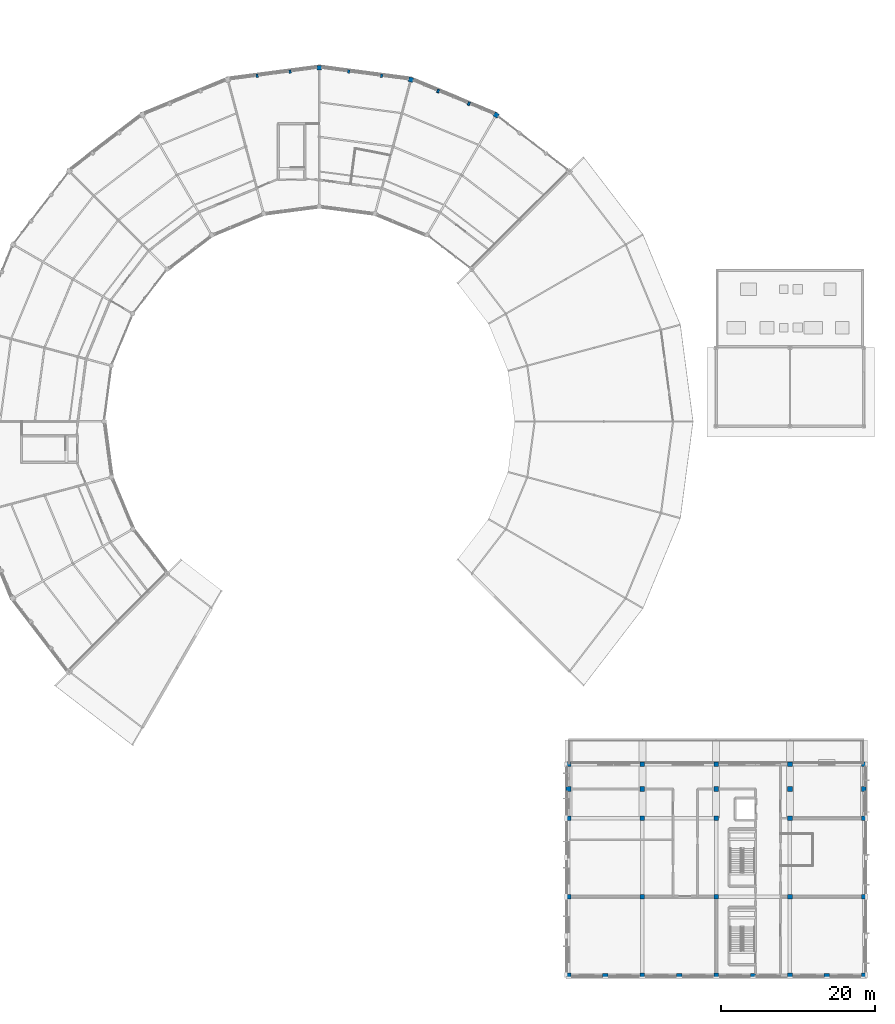
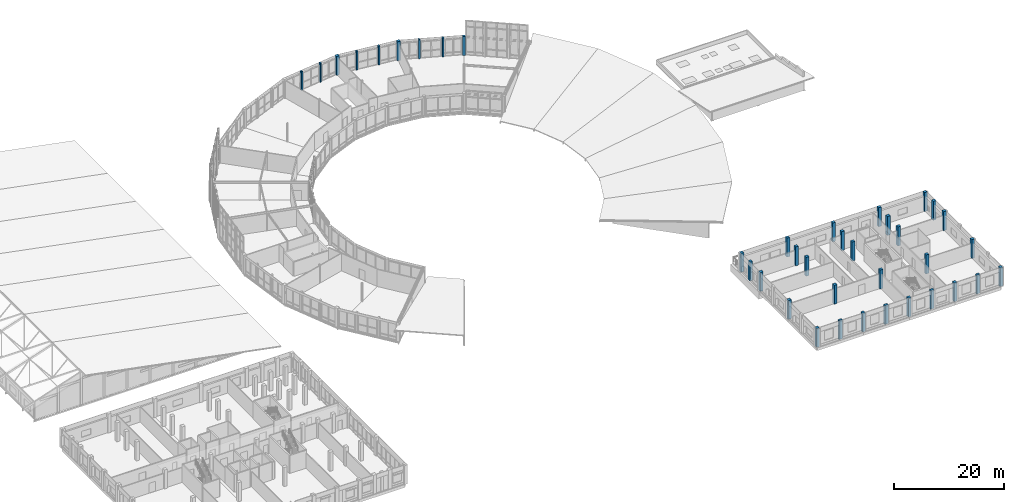
# One storey, part 12 of 200: 38 columns.
"""IFC4 building model written with IfcOpenShell, lengths in metres."""

from ifc_helpers import new_model, si_unit, direction, frame, origin, origin_2d, place, context, subcontext, project, spatial, rectangle, extrude, material, material_profile, profile_set, type_object, element, save


model = new_model("IFC4")

# Units and contexts
model_context = context("Model", 3, precision=1e-05, world=origin(), true_north=direction((0.0, 1.0)))
body_context = subcontext(model_context, "Body", "Model", "MODEL_VIEW")
ifc_project = project(units=[si_unit("LENGTHUNIT", "METRE"), si_unit("AREAUNIT", "SQUARE_METRE"), si_unit("VOLUMEUNIT", "CUBIC_METRE"), si_unit("PLANEANGLEUNIT", "RADIAN"), si_unit("MASSUNIT", "GRAM", prefix="KILO")], contexts=[model_context])

# Site, building, storey
site_placement = place(None, origin())
site = spatial("IfcSite", under=ifc_project, at=site_placement, CompositionType="ELEMENT")
building_placement = place(site_placement, origin())
building = spatial("IfcBuilding", under=site, at=building_placement, Name="Vondelvale Polytechnic", CompositionType="ELEMENT")
storey_placement = place(building_placement, frame((0.0, 0.0, 13.800048828125)))
storey = spatial("IfcBuildingStorey", under=building, at=storey_placement, Name="L03", CompositionType="ELEMENT", Elevation=13.800048828125)

# Columns
ifc_material_1 = material(Name="Glulam GL18 structural Tasmanian oak (fb = 42 MPa)", Category="wood")
ifc_material_profile_1 = material_profile(ifc_material_1, rectangle(XDim=0.300048828125, YDim=0.449951171875, at=origin_2d()), Name="GL-POST-300x450")
ifc_profile_set_1 = profile_set([ifc_material_profile_1], Name="Glulam GL18 structural Tasmanian oak (fb = 42 MPa)")
column_type_1 = type_object("IfcColumnType", Name="COL-GLULAM-300x450", PredefinedType="PILASTER", material=ifc_profile_set_1)
for number, where, z_axis, x_axis, name in (
    (1, (121.44970703125, 113.3076171875, 0.0), (0.0, 0.0, 1.0), (-0.923879532511, 0.382683432365, 0.0), "L03 ring outer glulam timber post C04-P1"),
    (2, (117.455810546875, 114.962158203125, 0.0), (0.0, 0.0, 1.0), (-0.923879532511, 0.382683432365, 0.0), "L03 ring outer glulam timber post C04-P2"),
    (3, (110.095947265625, 116.93408203125, 0.0), (0.0, 0.0, 1.0), (-0.991444861374, 0.13052619222, 0.0), "L03 ring outer glulam timber post C05-P1"),
    (4, (105.809814453125, 117.498291015625, 0.0), (0.0, 0.0, 1.0), (-0.991444861374, 0.13052619222, 0.0), "L03 ring outer glulam timber post C05-P2"),
    (5, (98.190185546875, 117.498291015625, 0.0), (0.0, 0.0, 1.0), (0.991444861374, 0.13052619222, 0.0), "L03 ring outer glulam timber post C06-P1"),
    (6, (93.904052734375, 116.93408203125, 0.0), (0.0, 0.0, 1.0), (0.991444861374, 0.13052619222, 0.0), "L03 ring outer glulam timber post C06-P2"),
):
    element("IfcColumn", number, at=place(storey_placement, frame(where, z_axis=z_axis, x_axis=x_axis)), inside=storey, type_object=column_type_1, Name=name, PredefinedType="PILASTER", context=body_context, shape_type="SweptSolid", body=[
        extrude(rectangle(XDim=0.300048828125, YDim=0.449951171875, at=origin_2d()), origin(), (0.0, 0.0, 1.0), 4.199951171875),
    ])
ifc_material_2 = material(Name="Concrete N50 (f'c = 50 MPa)", Category="concrete")
ifc_material_profile_2 = material_profile(ifc_material_2, rectangle(XDim=0.60009765625, YDim=0.60009765625, at=origin_2d()), Name="RC-COL-600x600")
ifc_profile_set_2 = profile_set([ifc_material_profile_2], Name="Concrete N50 (f'c = 50 MPa)")
column_type_2 = type_object("IfcColumnType", Name="COL-RC600", PredefinedType="COLUMN", material=ifc_profile_set_2)
for number, where, z_axis, x_axis, name in (
    (7, (134.39990234375, 0.0, 0.0), (0.0, 0.0, 1.0), (1.0, 0.0, 0.0), "L03 lecture wing column (134.4,0.0)"),
    (8, (134.39990234375, 10.199951171875, 0.0), (0.0, 0.0, 1.0), (1.0, 0.0, 0.0), "L03 lecture wing column (134.4,10.2)"),
    (9, (134.39990234375, 20.39990234375, 0.0), (0.0, 0.0, 1.0), (1.0, 0.0, 0.0), "L03 lecture wing column (134.4,20.4)"),
    (10, (134.39990234375, 24.199951171875, 0.0), (0.0, 0.0, 1.0), (1.0, 0.0, 0.0), "L03 lecture wing column (134.4,24.2)"),
    (11, (134.39990234375, 27.39990234375, 0.0), (0.0, 0.0, 1.0), (1.0, 0.0, 0.0), "L03 lecture wing column (134.4,27.4)"),
    (12, (144.0, 0.0, 0.0), (0.0, 0.0, 1.0), (1.0, 0.0, 0.0), "L03 lecture wing column (144.0,0.0)"),
    (13, (144.0, 10.199951171875, 0.0), (0.0, 0.0, 1.0), (1.0, 0.0, 0.0), "L03 lecture wing column (144.0,10.2)"),
    (14, (144.0, 20.39990234375, 0.0), (0.0, 0.0, 1.0), (1.0, 0.0, 0.0), "L03 lecture wing column (144.0,20.4)"),
    (15, (144.0, 24.199951171875, 0.0), (0.0, 0.0, 1.0), (1.0, 0.0, 0.0), "L03 lecture wing column (144.0,24.2)"),
    (16, (144.0, 27.39990234375, 0.0), (0.0, 0.0, 1.0), (1.0, 0.0, 0.0), "L03 lecture wing column (144.0,27.4)"),
    (17, (153.60009765625, 0.0, 0.0), (0.0, 0.0, 1.0), (1.0, 0.0, 0.0), "L03 lecture wing column (153.6,0.0)"),
    (18, (153.60009765625, 10.199951171875, 0.0), (0.0, 0.0, 1.0), (1.0, 0.0, 0.0), "L03 lecture wing column (153.6,10.2)"),
    (19, (153.60009765625, 20.39990234375, 0.0), (0.0, 0.0, 1.0), (1.0, 0.0, 0.0), "L03 lecture wing column (153.6,20.4)"),
    (20, (153.60009765625, 24.199951171875, 0.0), (0.0, 0.0, 1.0), (1.0, 0.0, 0.0), "L03 lecture wing column (153.6,24.2)"),
    (21, (153.60009765625, 27.39990234375, 0.0), (0.0, 0.0, 1.0), (1.0, 0.0, 0.0), "L03 lecture wing column (153.6,27.4)"),
    (22, (163.199951171875, 0.0, 0.0), (0.0, 0.0, 1.0), (1.0, 0.0, 0.0), "L03 lecture wing column (163.2,0.0)"),
    (23, (163.199951171875, 10.199951171875, 0.0), (0.0, 0.0, 1.0), (1.0, 0.0, 0.0), "L03 lecture wing column (163.2,10.2)"),
    (24, (163.199951171875, 20.39990234375, 0.0), (0.0, 0.0, 1.0), (1.0, 0.0, 0.0), "L03 lecture wing column (163.2,20.4)"),
    (25, (163.199951171875, 24.199951171875, 0.0), (0.0, 0.0, 1.0), (1.0, 0.0, 0.0), "L03 lecture wing column (163.2,24.2)"),
    (26, (163.199951171875, 27.39990234375, 0.0), (0.0, 0.0, 1.0), (1.0, 0.0, 0.0), "L03 lecture wing column (163.2,27.4)"),
    (27, (172.800048828125, 0.0, 0.0), (0.0, 0.0, 1.0), (1.0, 0.0, 0.0), "L03 lecture wing column (172.8,0.0)"),
    (28, (172.800048828125, 10.199951171875, 0.0), (0.0, 0.0, 1.0), (1.0, 0.0, 0.0), "L03 lecture wing column (172.8,10.2)"),
    (29, (172.800048828125, 20.39990234375, 0.0), (0.0, 0.0, 1.0), (1.0, 0.0, 0.0), "L03 lecture wing column (172.8,20.4)"),
    (30, (172.800048828125, 24.199951171875, 0.0), (0.0, 0.0, 1.0), (1.0, 0.0, 0.0), "L03 lecture wing column (172.8,24.2)"),
    (31, (172.800048828125, 27.39990234375, 0.0), (0.0, 0.0, 1.0), (1.0, 0.0, 0.0), "L03 lecture wing column (172.8,27.4)"),
    (32, (125.0, 111.837158203125, 0.0), (0.0, 0.0, 1.0), (0.5, 0.866025403784, 0.0), "L03 courtyard ring column S04-RO"),
    (33, (113.90576171875, 116.4326171875, 0.0), (0.0, 0.0, 1.0), (0.258819045103, 0.965925826289, 0.0), "L03 courtyard ring column S05-RO"),
    (34, (102.0, 118.0, 0.0), (0.0, 0.0, 1.0), (0.0, 1.0, 0.0), "L03 courtyard ring column S06-RO"),
):
    element("IfcColumn", number, at=place(storey_placement, frame(where, z_axis=z_axis, x_axis=x_axis)), inside=storey, type_object=column_type_2, Name=name, PredefinedType="COLUMN", context=body_context, shape_type="SweptSolid", body=[
        extrude(rectangle(XDim=0.60009765625, YDim=0.60009765625, at=origin_2d()), origin(), (0.0, 0.0, 1.0), 4.199951171875),
    ])
ifc_material_profile_3 = material_profile(ifc_material_2, rectangle(XDim=0.449951171875, YDim=0.699951171875, at=origin_2d()), Name="RC-PIL-700x450")
ifc_profile_set_3 = profile_set([ifc_material_profile_3], Name="Concrete N50 (f'c = 50 MPa)")
column_type_3 = type_object("IfcColumnType", Name="PIL-RC700x450", PredefinedType="PILASTER", material=ifc_profile_set_3)
for number, where, z_axis, x_axis, name in (
    (35, (139.199951171875, 0.0, 0.0), (0.0, 0.0, 1.0), (0.0, 1.0, 0.0), "L03 Lecture wing South brick pilaster 1"),
    (36, (148.800048828125, 0.0, 0.0), (0.0, 0.0, 1.0), (0.0, 1.0, 0.0), "L03 Lecture wing South brick pilaster 2"),
    (37, (158.39990234375, 0.0, 0.0), (0.0, 0.0, 1.0), (0.0, 1.0, 0.0), "L03 Lecture wing South brick pilaster 3"),
    (38, (168.0, 0.0, 0.0), (0.0, 0.0, 1.0), (0.0, 1.0, 0.0), "L03 Lecture wing South brick pilaster 4"),
):
    element("IfcColumn", number, at=place(storey_placement, frame(where, z_axis=z_axis, x_axis=x_axis)), inside=storey, type_object=column_type_3, Name=name, PredefinedType="PILASTER", context=body_context, shape_type="SweptSolid", body=[
        extrude(rectangle(XDim=0.449951171875, YDim=0.699951171875, at=origin_2d()), origin(), (0.0, 0.0, 1.0), 4.199951171875),
    ])

save(model, "model.ifc")
